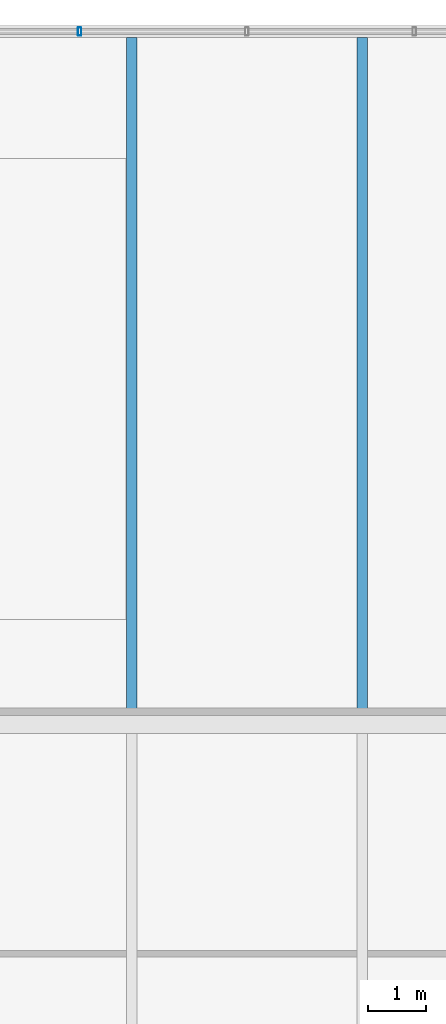
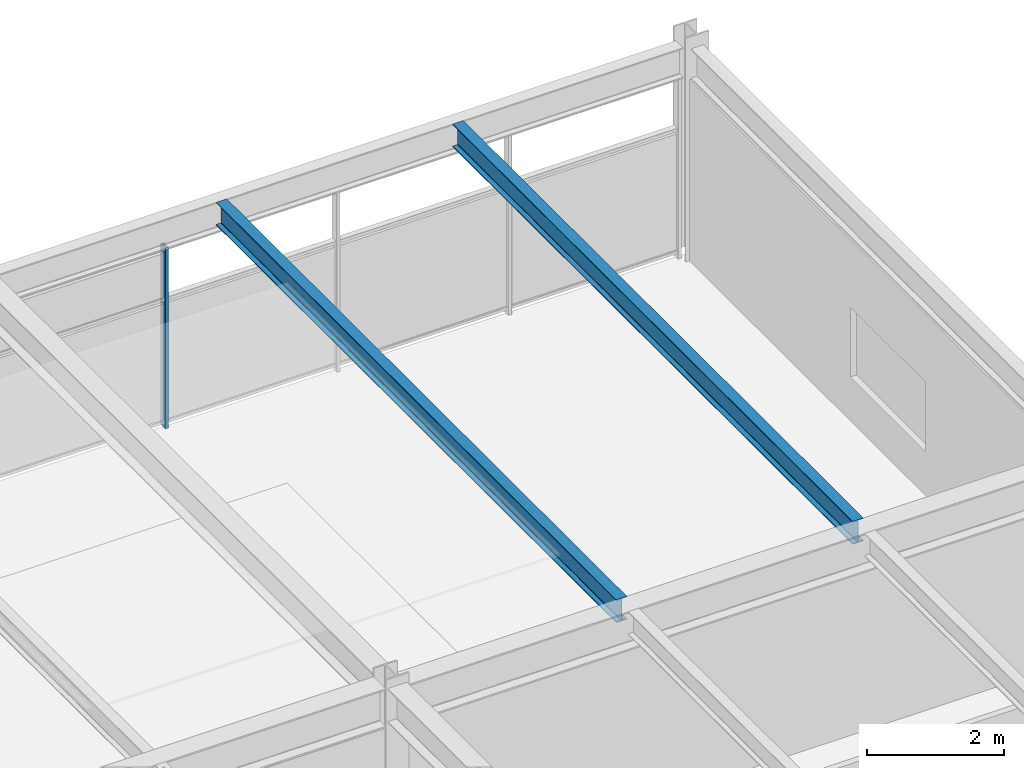
# One storey, part 40 of 52: 2 beams, 1 member, 1 element without a shape of its own.
"""IFC4 building model written with IfcOpenShell, lengths in metres."""

from ifc_helpers import new_model, si_unit, direction, frame, origin, origin_2d, place, context, subcontext, project, spatial, hollow_rectangle, i_section, extrude, material, material_profile, profile_set, type_object, element, aggregate, save


model = new_model("IFC4")

# Units and contexts
model_context = context("Model", 3, precision=1e-05, world=origin(), true_north=direction((0.0, 1.0)))
body_context = subcontext(model_context, "Body", "Model", "MODEL_VIEW")
ifc_project = project(units=[si_unit("LENGTHUNIT", "METRE"), si_unit("AREAUNIT", "SQUARE_METRE"), si_unit("VOLUMEUNIT", "CUBIC_METRE"), si_unit("PLANEANGLEUNIT", "RADIAN"), si_unit("MASSUNIT", "GRAM", prefix="KILO")], contexts=[model_context])

# Site, building, storey
site_placement = place(None, origin())
site = spatial("IfcSite", under=ifc_project, at=site_placement, CompositionType="ELEMENT")
building_placement = place(site_placement, origin())
building = spatial("IfcBuilding", under=site, at=building_placement, Name="Girod Span Mobility Hub", CompositionType="ELEMENT")
storey_placement = place(building_placement, frame((0.0, 0.0, 45.60009765625)))
storey = spatial("IfcBuildingStorey", under=building, at=storey_placement, Name="L11", CompositionType="ELEMENT", Elevation=45.60009765625)

# Beams
ifc_material_1 = material(Name="Steel A992 Grade 50", Category="steel")
ifc_material_profile_1 = material_profile(ifc_material_1, i_section(OverallWidth=0.178955078125, OverallDepth=0.409912109375, WebThickness=0.0087890625, FlangeThickness=0.014404296875, FilletRadius=0.012939453125, at=origin_2d()), Name="W16X45")
ifc_profile_set_1 = profile_set([ifc_material_profile_1], Name="Steel A992 Grade 50")
beam_type = type_object("IfcBeamType", Name="BM-STL-W16X45", PredefinedType="BEAM", material=ifc_profile_set_1)
for number, where, z_axis, x_axis, name in (
    (1, (136.0, 57.174560546875, 3.574951171875), (0.0, 1.0, 0.0), (-1.0, 0.0, 0.0), "Composite Floorbeam 12/E-1 L11"),
    (2, (140.0, 57.174560546875, 3.574951171875), (0.0, 1.0, 0.0), (-1.0, 0.0, 0.0), "Composite Floorbeam 12/E-2 L11"),
):
    element("IfcBeam", number, at=place(storey_placement, frame(where, z_axis=z_axis, x_axis=x_axis)), inside=storey, type_object=beam_type, Name=name, PredefinedType="BEAM", context=body_context, shape_type="SweptSolid", body=[
        extrude(i_section(OverallWidth=0.178955078125, OverallDepth=0.409912109375, WebThickness=0.0087890625, FlangeThickness=0.014404296875, FilletRadius=0.012939453125, at=origin_2d()), origin(), (0.0, 0.0, 1.0), 11.722412109375),
    ])

# Curtain wall, member
ifc_material_2 = material(Name="Thermally Broken Anodised Aluminium", Category="aluminium")
curtain_wall_type = type_object("IfcCurtainWallType", Name="CW-1161X324", PredefinedType="USERDEFINED", material=ifc_material_2)
curtain_wall_placement = place(storey_placement, origin())
curtain_wall = element("IfcCurtainWall", 3, at=curtain_wall_placement, inside=storey, type_object=curtain_wall_type, Name="Unitised Curtain Wall CW-L11-N12 L11", ObjectType="UNITISED CURTAIN WALL", PredefinedType="USERDEFINED")
ifc_material_3 = material(Name="Thermally Broken Anodised Aluminium", Category="aluminium")
ifc_material_profile_2 = material_profile(ifc_material_3, hollow_rectangle(XDim=0.139892578125, YDim=0.06005859375, WallThickness=0.00341796875, InnerFilletRadius=0.00341796875, OuterFilletRadius=0.007080078125, at=origin_2d()), Name="CW-ML-60X140")
ifc_profile_set_2 = profile_set([ifc_material_profile_2], Name="Thermally Broken Anodised Aluminium")
member_type = type_object("IfcMemberType", Name="CWM-ML-4", PredefinedType="MULLION", material=ifc_profile_set_2)
member_placement = place(storey_placement, frame((135.097412109375, 69.0, 0.0), z_axis=(0.0, 0.0, 1.0), x_axis=(0.0, 1.0, 0.0)))
member = element("IfcMember", 4, at=member_placement, type_object=member_type, Name="Curtain Wall Mullion CW-L11-N12-M1", PredefinedType="MULLION", context=body_context, shape_type="SweptSolid", body=[
    extrude(hollow_rectangle(XDim=0.139892578125, YDim=0.06005859375, WallThickness=0.00341796875, InnerFilletRadius=0.00341796875, OuterFilletRadius=0.007080078125, at=origin_2d()), origin(), (0.0, 0.0, 1.0), 3.23583984375),
])
aggregate(curtain_wall, [member])

save(model, "model.ifc")
